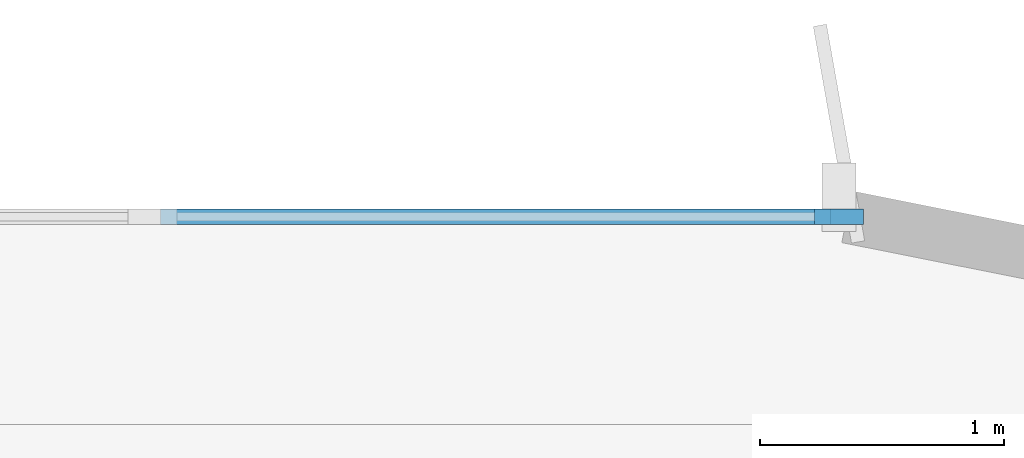
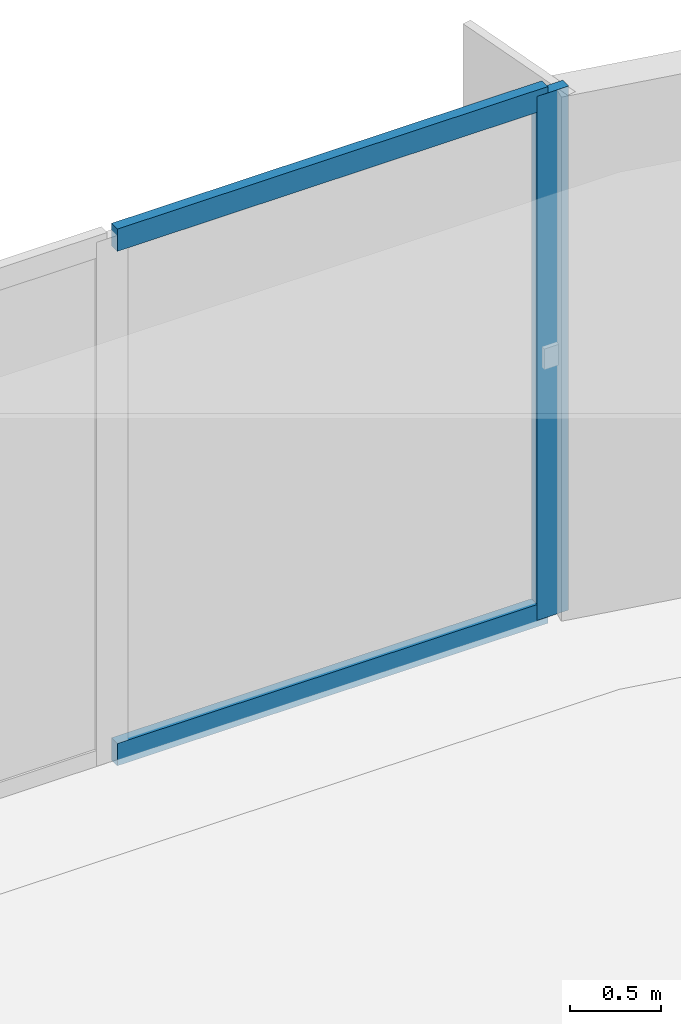
# One storey, part 8 of 16: 3 members, 1 element without a shape of its own.
"""IFC4 building model written with IfcOpenShell, lengths in metres."""

from ifc_helpers import new_model, si_unit, direction, frame, origin, origin_2d, place, context, subcontext, project, spatial, rectangle, extrude, source, transform, mapped, material, layer, layer_set, material_profile, profile_set, type_object, element, aggregate, save


model = new_model("IFC4")

# Units and contexts
model_context = context("Model", 3, precision=1e-05, world=origin(), true_north=direction((0.0, 1.0)))
body_context = subcontext(model_context, "Body", "Model", "MODEL_VIEW")
ifc_project = project(units=[si_unit("LENGTHUNIT", "METRE"), si_unit("AREAUNIT", "SQUARE_METRE"), si_unit("VOLUMEUNIT", "CUBIC_METRE"), si_unit("PLANEANGLEUNIT", "RADIAN"), si_unit("MASSUNIT", "GRAM", prefix="KILO")], contexts=[model_context])

# Site, building, storey
site_placement = place(None, origin())
site = spatial("IfcSite", under=ifc_project, at=site_placement, CompositionType="ELEMENT")
building_placement = place(site_placement, origin())
building = spatial("IfcBuilding", under=site, at=building_placement, Name="Brelvock Crest Care Tower", CompositionType="ELEMENT")
storey_placement = place(building_placement, frame((0.0, 0.0, 61.02001953125)))
storey = spatial("IfcBuildingStorey", under=building, at=storey_placement, Name="L15", CompositionType="ELEMENT", Elevation=61.02001953125)

# Curtain wall, members
ifc_material_1 = material(Name="Dark Glass Double Glazed Low-E", Category="glass")
ifc_layer = layer(ifc_material_1, 0.195068359375, Name="CWS-2")
ifc_layer_set = layer_set([ifc_layer], Name="Dark Glass Double Glazed Low-E")
curtain_wall_type = type_object("IfcCurtainWallType", Name="CWS-2", PredefinedType="NOTDEFINED", material=ifc_layer_set)
curtain_wall_placement = place(storey_placement, origin())
curtain_wall = element("IfcCurtainWall", 1, at=curtain_wall_placement, inside=storey, type_object=curtain_wall_type, Name="L15 Curtain Wall E30", PredefinedType="NOTDEFINED")
ifc_material_2 = material(Name="Aluminium 6063-T6", Category="aluminium")
ifc_material_profile_1 = material_profile(ifc_material_2, rectangle(XDim=0.06494140625, YDim=0.199951171875, at=origin_2d()), Name="ALU65x200")
ifc_profile_set_1 = profile_set([ifc_material_profile_1], Name="Aluminium 6063-T6")
member_type_1 = type_object("IfcMemberType", Name="CWM-1", PredefinedType="MULLION", material=ifc_profile_set_1)
shared_shape_1 = source(origin(), body_context, "Body", "SweptSolid", [
    extrude(rectangle(XDim=0.06494140625, YDim=0.199951171875, at=origin_2d()), origin(), (0.0, 0.0, 1.0), 3.530029296875),
])
member_1_placement = place(storey_placement, frame((56.767578125, 36.0, 0.0), z_axis=(0.0, 0.0, 1.0), x_axis=(0.0, 1.0, 0.0)))
member_1 = element("IfcMember", 2, at=member_1_placement, type_object=member_type_1, Name="CW-2 mullion 6", PredefinedType="MULLION", context=body_context, shape_type="MappedRepresentation", body=[
    mapped(shared_shape_1, transform((0.0, 0.0, 0.0), x_axis=(1.0, 0.0, 0.0), y_axis=(0.0, 1.0, 0.0), z_axis=(0.0, 0.0, 1.0), scale=1.0)),
])
ifc_material_profile_2 = material_profile(ifc_material_2, rectangle(XDim=0.06494140625, YDim=0.14990234375, at=origin_2d()), Name="ALU65x150")
ifc_profile_set_2 = profile_set([ifc_material_profile_2], Name="Aluminium 6063-T6")
member_type_2 = type_object("IfcMemberType", Name="CWT-1", PredefinedType="USERDEFINED", material=ifc_profile_set_2)
shared_shape_2 = source(origin(), body_context, "Body", "SweptSolid", [
    extrude(rectangle(XDim=0.06494140625, YDim=0.14990234375, at=origin_2d()), origin(), (0.0, 0.0, 1.0), 2.74267578125),
])
member_2_placement = place(storey_placement, frame((53.992431640625, 36.0, 0.032470703125), z_axis=(1.0, 0.0, 0.0), x_axis=(0.0, 1.0, 0.0)))
member_2 = element("IfcMember", 3, at=member_2_placement, type_object=member_type_2, Name="CW-2 transom 5.1", ObjectType="TRANSOM", PredefinedType="USERDEFINED", context=body_context, shape_type="MappedRepresentation", body=[
    mapped(shared_shape_2, transform((0.0, 0.0, 0.0), x_axis=(1.0, 0.0, 0.0), y_axis=(0.0, 1.0, 0.0), z_axis=(0.0, 0.0, 1.0), scale=1.0)),
])
member_3_placement = place(storey_placement, frame((53.992431640625, 36.0, 3.49755859375), z_axis=(1.0, 0.0, 0.0), x_axis=(0.0, 1.0, 0.0)))
member_3 = element("IfcMember", 4, at=member_3_placement, type_object=member_type_2, Name="CW-2 transom 5.2", ObjectType="TRANSOM", PredefinedType="USERDEFINED", context=body_context, shape_type="MappedRepresentation", body=[
    mapped(shared_shape_2, transform((0.0, 0.0, 0.0), x_axis=(1.0, 0.0, 0.0), y_axis=(0.0, 1.0, 0.0), z_axis=(0.0, 0.0, 1.0), scale=1.0)),
])
aggregate(curtain_wall, [member_1, member_2, member_3])

save(model, "model.ifc")
